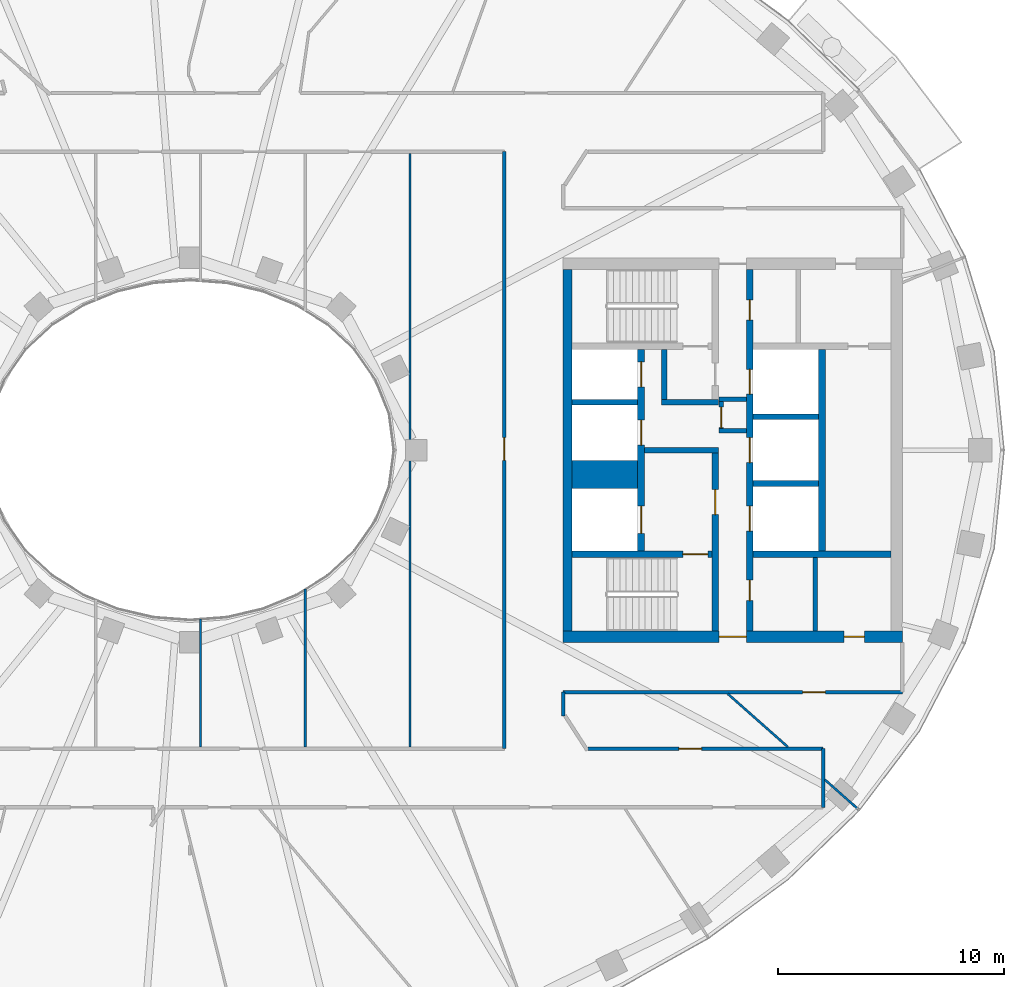
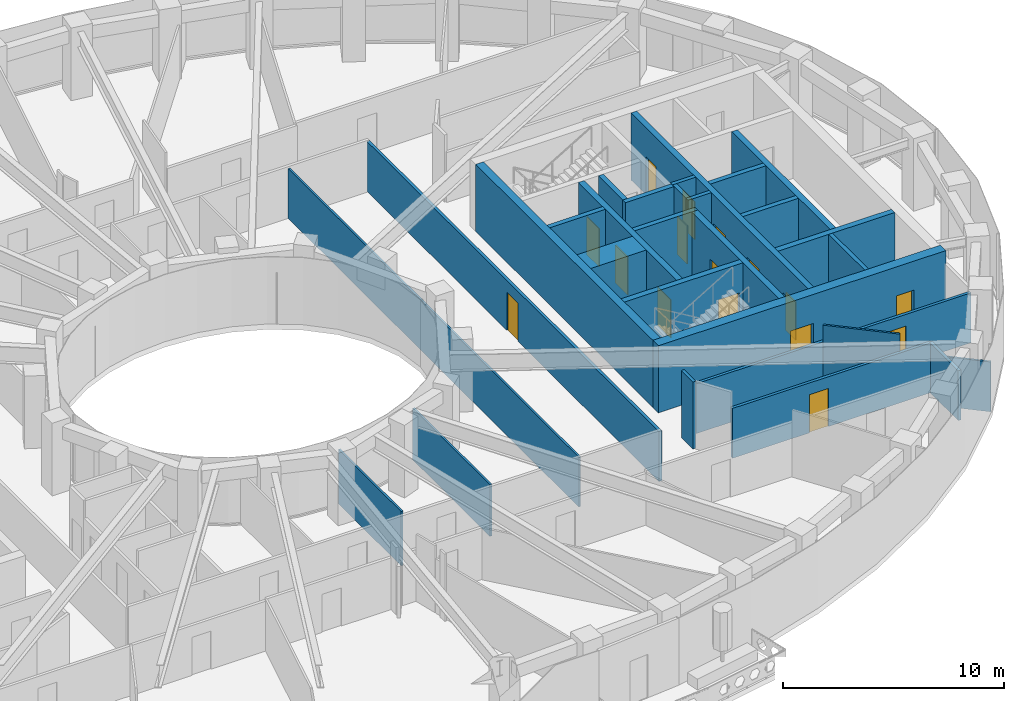
# One storey, part 5 of 17: 29 walls, 16 doors, 16 openings.
"""IFC4 building model written with IfcOpenShell, lengths in metres."""

from ifc_helpers import new_model, si_unit, direction, frame, frame_2d, origin, place, context, subcontext, project, spatial, rectangle, extrude, material, layer, layer_set, type_object, element, fill, save


model = new_model("IFC4")

# Units and contexts
model_context = context("Model", 3, precision=1e-05, world=origin(), true_north=direction((0.0, 1.0)))
body_context = subcontext(model_context, "Body", "Model", "MODEL_VIEW")
ifc_project = project(units=[si_unit("LENGTHUNIT", "METRE"), si_unit("AREAUNIT", "SQUARE_METRE"), si_unit("VOLUMEUNIT", "CUBIC_METRE"), si_unit("PLANEANGLEUNIT", "RADIAN"), si_unit("MASSUNIT", "GRAM", prefix="KILO")], contexts=[model_context])

# Site, building, storey
site_placement = place(None, origin())
site = spatial("IfcSite", under=ifc_project, at=site_placement, CompositionType="ELEMENT")
building_placement = place(site_placement, origin())
building = spatial("IfcBuilding", under=site, at=building_placement, Name="Noorbagh Ring Tower", CompositionType="ELEMENT")
storey_placement = place(building_placement, frame((0.0, 0.0, 269.5)))
storey = spatial("IfcBuildingStorey", under=building, at=storey_placement, Name="L57", CompositionType="ELEMENT", Elevation=269.5)

# Walls
ifc_material_1 = material(Name="Gypsum board on steel studs", Category="steel")
ifc_layer_1 = layer(ifc_material_1, 0.199951171875)
ifc_layer_set_1 = layer_set([ifc_layer_1], Name="Gypsum board on steel studs")
wall_type_1 = type_object("IfcWallType", Name="CORE-PARTITION-200", PredefinedType="PARTITIONING", material=ifc_layer_set_1)
for number, where, z_axis, x_axis, name in (
    (1, (23.39990234375, 0.85009765625, 0.0), (0.0, 0.0, 1.0), (1.0, 0.0, 0.0), "Core partition E"),
    (2, (23.39990234375, 2.25, 0.0), (0.0, 0.0, 1.0), (1.0, 0.0, 0.0), "Core partition E"),
):
    element("IfcWall", number, at=place(storey_placement, frame(where, z_axis=z_axis, x_axis=x_axis)), inside=storey, type_object=wall_type_1, Name=name, PredefinedType="PARTITIONING", context=body_context, shape_type="SweptSolid", body=[
        extrude(rectangle(XDim=1.2001953125, YDim=0.199951171875, at=frame_2d((0.60009765625, 0.0))), origin(), (0.0, 0.0, 1.0), 3.699951171875),
    ])

# Wall, opening, door
wall_1_placement = place(storey_placement, frame((23.5, 0.75, 0.0), z_axis=(0.0, 0.0, 1.0), x_axis=(0.0, 1.0, 0.0)))
wall_1 = element("IfcWall", 3, at=wall_1_placement, inside=storey, type_object=wall_type_1, Name="Core partition E", PredefinedType="PARTITIONING", context=body_context, shape_type="SweptSolid", body=[
    extrude(rectangle(XDim=1.60009765625, YDim=0.199951171875, at=frame_2d((0.800048828125, 0.0))), origin(), (0.0, 0.0, 1.0), 3.699951171875),
])
opening_1_placement = place(wall_1_placement, frame((0.25, 0.0, 0.0)))
opening_1 = element("IfcOpeningElement", 4, at=opening_1_placement, cuts=wall_1, Name="Opening L57-CE17", PredefinedType="OPENING", context=body_context, shape_type="SweptSolid", body=[
    extrude(rectangle(XDim=0.89990234375, YDim=2.10009765625, at=frame_2d((0.449951171875, 1.050048828125))), frame((0.0, 0.10986328125, 0.0), z_axis=(0.0, -1.0, 0.0), x_axis=(1.0, 0.0, 0.0)), (0.0, 0.0, 1.0), 0.219970703125),
])
ifc_material_2 = material(Name="Steel door leaf", Category="steel")
door_type_1 = type_object("IfcDoorType", Name="CORE-DOOR-DROOM", OperationType="SINGLE_SWING_LEFT", PredefinedType="DOOR", material=ifc_material_2)
door_1_placement = place(opening_1_placement, origin())
door_1 = element("IfcDoor", 5, at=door_1_placement, inside=storey, type_object=door_type_1, Name="Core room door L57-CE17", OperationType="SINGLE_SWING_LEFT", OverallHeight=2.10009765625, OverallWidth=0.89990234375, PredefinedType="DOOR", context=body_context, shape_type="SweptSolid", body=[
    extrude(rectangle(XDim=0.89990234375, YDim=2.10009765625, at=frame_2d((0.449951171875, 1.050048828125))), frame((0.0, 0.02490234375, 0.0), z_axis=(0.0, -1.0, 0.0), x_axis=(1.0, 0.0, 0.0)), (0.0, 0.0, 1.0), 0.050048828125),
])
fill(opening_1, door_1)

# Walls
wall_2_placement = place(storey_placement, frame((27.64990234375, -8.0, 0.0), z_axis=(0.0, 0.0, 1.0), x_axis=(0.0, 1.0, 0.0)))
element("IfcWall", 6, at=wall_2_placement, inside=storey, type_object=wall_type_1, Name="Core partition E", PredefinedType="PARTITIONING", context=body_context, shape_type="SweptSolid", body=[
    extrude(rectangle(XDim=3.25, YDim=0.199951171875, at=frame_2d((1.625, 0.0))), origin(), (0.0, 0.0, 1.0), 3.699951171875),
])
ifc_material_3 = material(Name="Concrete C60/75", Category="concrete")
ifc_layer_2 = layer(ifc_material_3, 1.25)
ifc_layer_set_2 = layer_set([ifc_layer_2], Name="Concrete C60/75")
wall_type_2 = type_object("IfcWallType", Name="CORE-WALL-1250-C60-75-EI120", PredefinedType="SHEAR", material=ifc_layer_set_2)
wall_3_placement = place(storey_placement, frame((16.89990234375, -1.074951171875, 0.0), z_axis=(0.0, 0.0, 1.0), x_axis=(1.0, 0.0, 0.0)))
element("IfcWall", 7, at=wall_3_placement, inside=storey, type_object=wall_type_2, Name="Core wall E", PredefinedType="SHEAR", context=body_context, shape_type="SweptSolid", body=[
    extrude(rectangle(XDim=2.900146484375, YDim=1.25, at=frame_2d((1.4501953125, 0.0))), origin(), (0.0, 0.0, 1.0), 3.699951171875),
])
ifc_material_4 = material(Name="Concrete C60/75", Category="concrete")
ifc_layer_3 = layer(ifc_material_4, 0.25)
ifc_layer_set_3 = layer_set([ifc_layer_3], Name="Concrete C60/75")
wall_type_3 = type_object("IfcWallType", Name="CORE-WALL-250-C60-75-EI120", PredefinedType="SHEAR", material=ifc_layer_set_3)
for number, where, z_axis, x_axis, name in (
    (8, (16.89990234375, 2.125, 0.0), (0.0, 0.0, 1.0), (1.0, 0.0, 0.0), "Core wall E"),
    (9, (24.89990234375, -1.47509765625, 0.0), (0.0, 0.0, 1.0), (1.0, 0.0, 0.0), "Core wall E"),
    (10, (24.89990234375, 1.47509765625, 0.0), (0.0, 0.0, 1.0), (1.0, 0.0, 0.0), "Core wall E"),
):
    element("IfcWall", number, at=place(storey_placement, frame(where, z_axis=z_axis, x_axis=x_axis)), inside=storey, type_object=wall_type_3, Name=name, PredefinedType="SHEAR", context=body_context, shape_type="SweptSolid", body=[
        extrude(rectangle(XDim=2.900146484375, YDim=0.25, at=frame_2d((1.4501953125, 0.0))), origin(), (0.0, 0.0, 1.0), 3.699951171875),
    ])
ifc_material_5 = material(Name="Concrete C60/75", Category="concrete")
ifc_layer_4 = layer(ifc_material_5, 0.25)
ifc_layer_set_4 = layer_set([ifc_layer_4], Name="Concrete C60/75")
wall_type_4 = type_object("IfcWallType", Name="CORE-WALL-250-C60-75-EI240", PredefinedType="SHEAR", material=ifc_layer_set_4)
wall_4_placement = place(storey_placement, frame((20.10009765625, 0.0, 0.0), z_axis=(0.0, 0.0, 1.0), x_axis=(1.0, 0.0, 0.0)))
element("IfcWall", 11, at=wall_4_placement, inside=storey, type_object=wall_type_4, Name="Core wall E", PredefinedType="SHEAR", context=body_context, shape_type="SweptSolid", body=[
    extrude(rectangle(XDim=3.27978515625, YDim=0.25, at=frame_2d((1.639892578125, 0.0))), origin(), (0.0, 0.0, 1.0), 3.699951171875),
])
wall_5_placement = place(storey_placement, frame((20.85009765625, 2.125, 0.0), z_axis=(0.0, 0.0, 1.0), x_axis=(1.0, 0.0, 0.0)))
element("IfcWall", 12, at=wall_5_placement, inside=storey, type_object=wall_type_4, Name="Core wall E", PredefinedType="SHEAR", context=body_context, shape_type="SweptSolid", body=[
    extrude(rectangle(XDim=2.52978515625, YDim=0.25, at=frame_2d((1.264892578125, 0.0))), origin(), (0.0, 0.0, 1.0), 3.699951171875),
])
wall_6_placement = place(storey_placement, frame((20.97509765625, 2.25, 0.0), z_axis=(0.0, 0.0, 1.0), x_axis=(0.0, 1.0, 0.0)))
element("IfcWall", 13, at=wall_6_placement, inside=storey, type_object=wall_type_4, Name="Core wall E", PredefinedType="SHEAR", context=body_context, shape_type="SweptSolid", body=[
    extrude(rectangle(XDim=2.199951171875, YDim=0.25, at=frame_2d((1.10009765625, 0.0))), origin(), (0.0, 0.0, 1.0), 3.699951171875),
])
ifc_material_6 = material(Name="Concrete C60/75", Category="concrete")
ifc_layer_5 = layer(ifc_material_6, 0.300048828125)
ifc_layer_set_5 = layer_set([ifc_layer_5], Name="Concrete C60/75")
wall_type_5 = type_object("IfcWallType", Name="CORE-WALL-300-C60-75-EI120", PredefinedType="SHEAR", material=ifc_layer_set_5)
wall_7_placement = place(storey_placement, frame((27.949951171875, -4.449951171875, 0.0), z_axis=(0.0, 0.0, 1.0), x_axis=(0.0, 1.0, 0.0)))
element("IfcWall", 14, at=wall_7_placement, inside=storey, type_object=wall_type_5, Name="Core wall E", PredefinedType="SHEAR", context=body_context, shape_type="SweptSolid", body=[
    extrude(rectangle(XDim=8.89990234375, YDim=0.300048828125, at=frame_2d((4.449951171875, 0.0))), origin(), (0.0, 0.0, 1.0), 3.699951171875),
])

# Wall, openings, doors
wall_8_placement = place(storey_placement, frame((19.949951171875, -4.449951171875, 0.0), z_axis=(0.0, 0.0, 1.0), x_axis=(0.0, 1.0, 0.0)))
wall_8 = element("IfcWall", 15, at=wall_8_placement, inside=storey, type_object=wall_type_5, Name="Core wall E", PredefinedType="SHEAR", context=body_context, shape_type="SweptSolid", body=[
    extrude(rectangle(XDim=8.89990234375, YDim=0.300048828125, at=frame_2d((4.449951171875, 0.0))), origin(), (0.0, 0.0, 1.0), 3.699951171875),
])
opening_2_placement = place(wall_8_placement, frame((0.77490234375, 0.0, 0.0)))
opening_2 = element("IfcOpeningElement", 16, at=opening_2_placement, cuts=wall_8, Name="Opening L57-CE01", PredefinedType="OPENING", context=body_context, shape_type="SweptSolid", body=[
    extrude(rectangle(XDim=1.199951171875, YDim=2.10009765625, at=frame_2d((0.60009765625, 1.050048828125))), frame((0.0, 0.16015625, 0.0), z_axis=(0.0, -1.0, 0.0), x_axis=(1.0, 0.0, 0.0)), (0.0, 0.0, 1.0), 0.320068359375),
])
opening_3_placement = place(wall_8_placement, frame((4.675048828125, 0.0, 0.0)))
opening_3 = element("IfcOpeningElement", 17, at=opening_3_placement, cuts=wall_8, Name="Opening L57-CE02", PredefinedType="OPENING", context=body_context, shape_type="SweptSolid", body=[
    extrude(rectangle(XDim=1.10009765625, YDim=2.10009765625, at=frame_2d((0.550048828125, 1.050048828125))), frame((0.0, 0.16015625, 0.0), z_axis=(0.0, -1.0, 0.0), x_axis=(1.0, 0.0, 0.0)), (0.0, 0.0, 1.0), 0.320068359375),
])
opening_4_placement = place(wall_8_placement, frame((7.25, 0.0, 0.0)))
opening_4 = element("IfcOpeningElement", 18, at=opening_4_placement, cuts=wall_8, Name="Opening L57-CE03", PredefinedType="OPENING", context=body_context, shape_type="SweptSolid", body=[
    extrude(rectangle(XDim=1.10009765625, YDim=2.10009765625, at=frame_2d((0.550048828125, 1.050048828125))), frame((0.0, 0.16015625, 0.0), z_axis=(0.0, -1.0, 0.0), x_axis=(1.0, 0.0, 0.0)), (0.0, 0.0, 1.0), 0.320068359375),
])
ifc_material_7 = material(Name="Steel door leaf", Category="steel")
door_type_2 = type_object("IfcDoorType", Name="CORE-DOOR-LD", OperationType="DOUBLE_DOOR_SLIDING", PredefinedType="DOOR", material=ifc_material_7)
door_2_placement = place(opening_3_placement, origin())
door_2 = element("IfcDoor", 19, at=door_2_placement, inside=storey, type_object=door_type_2, Name="Landing door HR7 L57-CE02", OperationType="DOUBLE_DOOR_SLIDING", OverallHeight=2.10009765625, OverallWidth=1.10009765625, PredefinedType="DOOR", context=body_context, shape_type="SweptSolid", body=[
    extrude(rectangle(XDim=1.10009765625, YDim=2.10009765625, at=frame_2d((0.550048828125, 1.050048828125))), frame((0.0, 0.02490234375, 0.0), z_axis=(0.0, -1.0, 0.0), x_axis=(1.0, 0.0, 0.0)), (0.0, 0.0, 1.0), 0.050048828125),
])
fill(opening_3, door_2)
door_3_placement = place(opening_4_placement, origin())
door_3 = element("IfcDoor", 20, at=door_3_placement, inside=storey, type_object=door_type_2, Name="Landing door HR8 L57-CE03", OperationType="DOUBLE_DOOR_SLIDING", OverallHeight=2.10009765625, OverallWidth=1.10009765625, PredefinedType="DOOR", context=body_context, shape_type="SweptSolid", body=[
    extrude(rectangle(XDim=1.10009765625, YDim=2.10009765625, at=frame_2d((0.550048828125, 1.050048828125))), frame((0.0, 0.02490234375, 0.0), z_axis=(0.0, -1.0, 0.0), x_axis=(1.0, 0.0, 0.0)), (0.0, 0.0, 1.0), 0.050048828125),
])
fill(opening_4, door_3)
ifc_material_8 = material(Name="Steel door leaf", Category="steel")
door_type_3 = type_object("IfcDoorType", Name="CORE-DOOR-LDW", OperationType="DOUBLE_DOOR_SLIDING", PredefinedType="DOOR", material=ifc_material_8)
door_4_placement = place(opening_2_placement, origin())
door_4 = element("IfcDoor", 21, at=door_4_placement, inside=storey, type_object=door_type_3, Name="Landing door FF2 L57-CE01", OperationType="DOUBLE_DOOR_SLIDING", OverallHeight=2.10009765625, OverallWidth=1.199951171875, PredefinedType="DOOR", context=body_context, shape_type="SweptSolid", body=[
    extrude(rectangle(XDim=1.199951171875, YDim=2.10009765625, at=frame_2d((0.60009765625, 1.050048828125))), frame((0.0, 0.02490234375, 0.0), z_axis=(0.0, -1.0, 0.0), x_axis=(1.0, 0.0, 0.0)), (0.0, 0.0, 1.0), 0.050048828125),
])
fill(opening_2, door_4)

wall_9_placement = place(storey_placement, frame((24.75, -8.0, 0.0), z_axis=(0.0, 0.0, 1.0), x_axis=(0.0, 1.0, 0.0)))
wall_9 = element("IfcWall", 22, at=wall_9_placement, inside=storey, type_object=wall_type_5, Name="Core wall E", PredefinedType="SHEAR", context=body_context, shape_type="SweptSolid", body=[
    extrude(rectangle(XDim=16.0, YDim=0.300048828125, at=frame_2d((8.0, 0.0))), origin(), (0.0, 0.0, 1.0), 3.699951171875),
])
opening_5_placement = place(wall_9_placement, frame((4.425048828125, 0.0, 0.0)))
opening_5 = element("IfcOpeningElement", 23, at=opening_5_placement, cuts=wall_9, Name="Opening L57-CE04", PredefinedType="OPENING", context=body_context, shape_type="SweptSolid", body=[
    extrude(rectangle(XDim=1.10009765625, YDim=2.10009765625, at=frame_2d((0.550048828125, 1.050048828125))), frame((0.0, 0.16015625, 0.0), z_axis=(0.0, -1.0, 0.0), x_axis=(1.0, 0.0, 0.0)), (0.0, 0.0, 1.0), 0.320068359375),
])
opening_6_placement = place(wall_9_placement, frame((7.449951171875, 0.0, 0.0)))
opening_6 = element("IfcOpeningElement", 24, at=opening_6_placement, cuts=wall_9, Name="Opening L57-CE05", PredefinedType="OPENING", context=body_context, shape_type="SweptSolid", body=[
    extrude(rectangle(XDim=1.10009765625, YDim=2.10009765625, at=frame_2d((0.550048828125, 1.050048828125))), frame((0.0, 0.16015625, 0.0), z_axis=(0.0, -1.0, 0.0), x_axis=(1.0, 0.0, 0.0)), (0.0, 0.0, 1.0), 0.320068359375),
])
opening_7_placement = place(wall_9_placement, frame((10.47509765625, 0.0, 0.0)))
opening_7 = element("IfcOpeningElement", 25, at=opening_7_placement, cuts=wall_9, Name="Opening L57-CE06", PredefinedType="OPENING", context=body_context, shape_type="SweptSolid", body=[
    extrude(rectangle(XDim=1.10009765625, YDim=2.10009765625, at=frame_2d((0.550048828125, 1.050048828125))), frame((0.0, 0.16015625, 0.0), z_axis=(0.0, -1.0, 0.0), x_axis=(1.0, 0.0, 0.0)), (0.0, 0.0, 1.0), 0.320068359375),
])
opening_8_placement = place(wall_9_placement, frame((13.75, 0.0, 0.0)))
opening_8 = element("IfcOpeningElement", 26, at=opening_8_placement, cuts=wall_9, Name="Opening L57-CE13", PredefinedType="OPENING", context=body_context, shape_type="SweptSolid", body=[
    extrude(rectangle(XDim=0.89990234375, YDim=2.10009765625, at=frame_2d((0.449951171875, 1.050048828125))), frame((0.0, 0.16015625, 0.0), z_axis=(0.0, -1.0, 0.0), x_axis=(1.0, 0.0, 0.0)), (0.0, 0.0, 1.0), 0.320068359375),
])
opening_9_placement = place(wall_9_placement, frame((1.35009765625, 0.0, 0.0)))
opening_9 = element("IfcOpeningElement", 27, at=opening_9_placement, cuts=wall_9, Name="Opening L57-CE15", PredefinedType="OPENING", context=body_context, shape_type="SweptSolid", body=[
    extrude(rectangle(XDim=0.89990234375, YDim=2.10009765625, at=frame_2d((0.449951171875, 1.050048828125))), frame((0.0, 0.16015625, 0.0), z_axis=(0.0, -1.0, 0.0), x_axis=(1.0, 0.0, 0.0)), (0.0, 0.0, 1.0), 0.320068359375),
])
door_5_placement = place(opening_8_placement, origin())
door_5 = element("IfcDoor", 28, at=door_5_placement, inside=storey, type_object=door_type_1, Name="Core room door L57-CE13", OperationType="SINGLE_SWING_LEFT", OverallHeight=2.10009765625, OverallWidth=0.89990234375, PredefinedType="DOOR", context=body_context, shape_type="SweptSolid", body=[
    extrude(rectangle(XDim=0.89990234375, YDim=2.10009765625, at=frame_2d((0.449951171875, 1.050048828125))), frame((0.0, 0.02490234375, 0.0), z_axis=(0.0, -1.0, 0.0), x_axis=(1.0, 0.0, 0.0)), (0.0, 0.0, 1.0), 0.050048828125),
])
fill(opening_8, door_5)
door_6_placement = place(opening_9_placement, origin())
door_6 = element("IfcDoor", 29, at=door_6_placement, inside=storey, type_object=door_type_1, Name="Core room door L57-CE15", OperationType="SINGLE_SWING_RIGHT", OverallHeight=2.10009765625, OverallWidth=0.89990234375, PredefinedType="DOOR", context=body_context, shape_type="SweptSolid", body=[
    extrude(rectangle(XDim=0.89990234375, YDim=2.10009765625, at=frame_2d((0.449951171875, 1.050048828125))), frame((0.0, 0.02490234375, 0.0), z_axis=(0.0, -1.0, 0.0), x_axis=(1.0, 0.0, 0.0)), (0.0, 0.0, 1.0), 0.050048828125),
])
fill(opening_9, door_6)
door_7_placement = place(opening_5_placement, origin())
door_7 = element("IfcDoor", 30, at=door_7_placement, inside=storey, type_object=door_type_2, Name="Landing door HR9 L57-CE04", OperationType="DOUBLE_DOOR_SLIDING", OverallHeight=2.10009765625, OverallWidth=1.10009765625, PredefinedType="DOOR", context=body_context, shape_type="SweptSolid", body=[
    extrude(rectangle(XDim=1.10009765625, YDim=2.10009765625, at=frame_2d((0.550048828125, 1.050048828125))), frame((0.0, 0.02490234375, 0.0), z_axis=(0.0, -1.0, 0.0), x_axis=(1.0, 0.0, 0.0)), (0.0, 0.0, 1.0), 0.050048828125),
])
fill(opening_5, door_7)
door_8_placement = place(opening_6_placement, origin())
door_8 = element("IfcDoor", 31, at=door_8_placement, inside=storey, type_object=door_type_2, Name="Landing door HR10 L57-CE05", OperationType="DOUBLE_DOOR_SLIDING", OverallHeight=2.10009765625, OverallWidth=1.10009765625, PredefinedType="DOOR", context=body_context, shape_type="SweptSolid", body=[
    extrude(rectangle(XDim=1.10009765625, YDim=2.10009765625, at=frame_2d((0.550048828125, 1.050048828125))), frame((0.0, 0.02490234375, 0.0), z_axis=(0.0, -1.0, 0.0), x_axis=(1.0, 0.0, 0.0)), (0.0, 0.0, 1.0), 0.050048828125),
])
fill(opening_6, door_8)
door_9_placement = place(opening_7_placement, origin())
door_9 = element("IfcDoor", 32, at=door_9_placement, inside=storey, type_object=door_type_2, Name="Landing door HR11 L57-CE06", OperationType="DOUBLE_DOOR_SLIDING", OverallHeight=2.10009765625, OverallWidth=1.10009765625, PredefinedType="DOOR", context=body_context, shape_type="SweptSolid", body=[
    extrude(rectangle(XDim=1.10009765625, YDim=2.10009765625, at=frame_2d((0.550048828125, 1.050048828125))), frame((0.0, 0.02490234375, 0.0), z_axis=(0.0, -1.0, 0.0), x_axis=(1.0, 0.0, 0.0)), (0.0, 0.0, 1.0), 0.050048828125),
])
fill(opening_7, door_9)

# Wall
ifc_material_9 = material(Name="Concrete C60/75", Category="concrete")
ifc_layer_6 = layer(ifc_material_9, 0.300048828125)
ifc_layer_set_6 = layer_set([ifc_layer_6], Name="Concrete C60/75")
wall_type_6 = type_object("IfcWallType", Name="CORE-WALL-300-C60-75-EI240", PredefinedType="SHEAR", material=ifc_layer_set_6)
wall_10_placement = place(storey_placement, frame((24.89990234375, -4.60009765625, 0.0), z_axis=(0.0, 0.0, 1.0), x_axis=(1.0, 0.0, 0.0)))
element("IfcWall", 33, at=wall_10_placement, inside=storey, type_object=wall_type_6, Name="Core wall E", PredefinedType="SHEAR", context=body_context, shape_type="SweptSolid", body=[
    extrude(rectangle(XDim=6.10009765625, YDim=0.300048828125, at=frame_2d((3.050048828125, 0.0))), origin(), (0.0, 0.0, 1.0), 3.699951171875),
])

# Wall, opening, door
wall_11_placement = place(storey_placement, frame((23.22998046875, -8.0, 0.0), z_axis=(0.0, 0.0, 1.0), x_axis=(0.0, 1.0, 0.0)))
wall_11 = element("IfcWall", 34, at=wall_11_placement, inside=storey, type_object=wall_type_6, Name="Core wall E", PredefinedType="SHEAR", context=body_context, shape_type="SweptSolid", body=[
    extrude(rectangle(XDim=7.875, YDim=0.300048828125, at=frame_2d((3.9375, 0.0))), origin(), (0.0, 0.0, 1.0), 3.699951171875),
])
opening_10_placement = place(wall_11_placement, frame((5.14990234375, 0.0, 0.0)))
opening_10 = element("IfcOpeningElement", 35, at=opening_10_placement, cuts=wall_11, Name="Opening L57-CE09", PredefinedType="OPENING", context=body_context, shape_type="SweptSolid", body=[
    extrude(rectangle(XDim=1.10009765625, YDim=2.10009765625, at=frame_2d((0.550048828125, 1.050048828125))), frame((0.0, 0.16015625, 0.0), z_axis=(0.0, -1.0, 0.0), x_axis=(1.0, 0.0, 0.0)), (0.0, 0.0, 1.0), 0.320068359375),
])
ifc_material_10 = material(Name="Steel door leaf", Category="steel")
door_type_4 = type_object("IfcDoorType", Name="CORE-DOOR-DFF", OperationType="SINGLE_SWING_LEFT", PredefinedType="DOOR", material=ifc_material_10)
door_10_placement = place(opening_10_placement, origin())
door_10 = element("IfcDoor", 36, at=door_10_placement, inside=storey, type_object=door_type_4, Name="Firefighting lobby door L57-CE09", OperationType="SINGLE_SWING_RIGHT", OverallHeight=2.10009765625, OverallWidth=1.10009765625, PredefinedType="DOOR", context=body_context, shape_type="SweptSolid", body=[
    extrude(rectangle(XDim=1.10009765625, YDim=2.10009765625, at=frame_2d((0.550048828125, 1.050048828125))), frame((0.0, 0.02490234375, 0.0), z_axis=(0.0, -1.0, 0.0), x_axis=(1.0, 0.0, 0.0)), (0.0, 0.0, 1.0), 0.050048828125),
])
fill(opening_10, door_10)

wall_12_placement = place(storey_placement, frame((16.89990234375, -4.60009765625, 0.0), z_axis=(0.0, 0.0, 1.0), x_axis=(1.0, 0.0, 0.0)))
wall_12 = element("IfcWall", 37, at=wall_12_placement, inside=storey, type_object=wall_type_6, Name="Core wall E", PredefinedType="SHEAR", context=body_context, shape_type="SweptSolid", body=[
    extrude(rectangle(XDim=6.18017578125, YDim=0.300048828125, at=frame_2d((3.090087890625, 0.0))), origin(), (0.0, 0.0, 1.0), 3.699951171875),
])
opening_11_placement = place(wall_12_placement, frame((4.89990234375, 0.0, 0.0)))
opening_11 = element("IfcOpeningElement", 38, at=opening_11_placement, cuts=wall_12, Name="Opening L57-CE08", PredefinedType="OPENING", context=body_context, shape_type="SweptSolid", body=[
    extrude(rectangle(XDim=1.10009765625, YDim=2.10009765625, at=frame_2d((0.550048828125, 1.050048828125))), frame((0.0, 0.16015625, 0.0), z_axis=(0.0, -1.0, 0.0), x_axis=(1.0, 0.0, 0.0)), (0.0, 0.0, 1.0), 0.320068359375),
])
ifc_material_11 = material(Name="Steel door leaf", Category="steel")
door_type_5 = type_object("IfcDoorType", Name="CORE-DOOR-DSTAIR", OperationType="SINGLE_SWING_LEFT", PredefinedType="DOOR", material=ifc_material_11)
door_11_placement = place(opening_11_placement, origin())
door_11 = element("IfcDoor", 39, at=door_11_placement, inside=storey, type_object=door_type_5, Name="Stair door ST4 L57-CE08", OperationType="SINGLE_SWING_RIGHT", OverallHeight=2.10009765625, OverallWidth=1.10009765625, PredefinedType="DOOR", context=body_context, shape_type="SweptSolid", body=[
    extrude(rectangle(XDim=1.10009765625, YDim=2.10009765625, at=frame_2d((0.550048828125, 1.050048828125))), frame((0.0, 0.02490234375, 0.0), z_axis=(0.0, -1.0, 0.0), x_axis=(1.0, 0.0, 0.0)), (0.0, 0.0, 1.0), 0.050048828125),
])
fill(opening_11, door_11)

# Wall
ifc_material_12 = material(Name="Concrete C60/75", Category="concrete")
ifc_layer_7 = layer(ifc_material_12, 0.39990234375)
ifc_layer_set_7 = layer_set([ifc_layer_7], Name="Concrete C60/75")
wall_type_7 = type_object("IfcWallType", Name="CORE-WALL-400-C60-75-EI240", PredefinedType="SHEAR", material=ifc_layer_set_7)
wall_13_placement = place(storey_placement, frame((16.699951171875, -8.0, 0.0), z_axis=(0.0, 0.0, 1.0), x_axis=(0.0, 1.0, 0.0)))
element("IfcWall", 40, at=wall_13_placement, inside=storey, type_object=wall_type_7, Name="Core wall E", PredefinedType="SHEAR", context=body_context, shape_type="SweptSolid", body=[
    extrude(rectangle(XDim=16.0, YDim=0.39990234375, at=frame_2d((8.0, 0.0))), origin(), (0.0, 0.0, 1.0), 3.699951171875),
])

# Wall, openings, doors
ifc_material_13 = material(Name="Concrete C60/75", Category="concrete")
ifc_layer_8 = layer(ifc_material_13, 0.5)
ifc_layer_set_8 = layer_set([ifc_layer_8], Name="Concrete C60/75")
wall_type_8 = type_object("IfcWallType", Name="CORE-WALL-500-C60-75-EI240", PredefinedType="SHEAR", material=ifc_layer_set_8)
wall_14_placement = place(storey_placement, frame((16.5, -8.25, 0.0), z_axis=(0.0, 0.0, 1.0), x_axis=(1.0, 0.0, 0.0)))
wall_14 = element("IfcWall", 41, at=wall_14_placement, inside=storey, type_object=wall_type_8, Name="Core wall E", PredefinedType="SHEAR", context=body_context, shape_type="SweptSolid", body=[
    extrude(rectangle(XDim=15.0, YDim=0.5, at=frame_2d((7.5, 0.0))), origin(), (0.0, 0.0, 1.0), 3.699951171875),
])
opening_12_placement = place(wall_14_placement, frame((6.89990234375, 0.0, 0.0)))
opening_12 = element("IfcOpeningElement", 42, at=opening_12_placement, cuts=wall_14, Name="Opening L57-CE12", PredefinedType="OPENING", context=body_context, shape_type="SweptSolid", body=[
    extrude(rectangle(XDim=1.199951171875, YDim=2.10009765625, at=frame_2d((0.60009765625, 1.050048828125))), frame((0.0, 0.260009765625, 0.0), z_axis=(0.0, -1.0, 0.0), x_axis=(1.0, 0.0, 0.0)), (0.0, 0.0, 1.0), 0.52001953125),
])
opening_13_placement = place(wall_14_placement, frame((12.425048828125, 0.0, 0.0)))
opening_13 = element("IfcOpeningElement", 43, at=opening_13_placement, cuts=wall_14, Name="Opening L57-CE16", PredefinedType="OPENING", context=body_context, shape_type="SweptSolid", body=[
    extrude(rectangle(XDim=0.89990234375, YDim=2.10009765625, at=frame_2d((0.449951171875, 1.050048828125))), frame((0.0, 0.260009765625, 0.0), z_axis=(0.0, -1.0, 0.0), x_axis=(1.0, 0.0, 0.0)), (0.0, 0.0, 1.0), 0.52001953125),
])
door_12_placement = place(opening_13_placement, origin())
door_12 = element("IfcDoor", 44, at=door_12_placement, inside=storey, type_object=door_type_1, Name="Core room door L57-CE16", OperationType="SINGLE_SWING_RIGHT", OverallHeight=2.10009765625, OverallWidth=0.89990234375, PredefinedType="DOOR", context=body_context, shape_type="SweptSolid", body=[
    extrude(rectangle(XDim=0.89990234375, YDim=2.10009765625, at=frame_2d((0.449951171875, 1.050048828125))), frame((0.0, 0.02490234375, 0.0), z_axis=(0.0, -1.0, 0.0), x_axis=(1.0, 0.0, 0.0)), (0.0, 0.0, 1.0), 0.050048828125),
])
fill(opening_13, door_12)
ifc_material_14 = material(Name="Steel door leaf", Category="steel")
door_type_6 = type_object("IfcDoorType", Name="CORE-DOOR-PORT", OperationType="DOUBLE_DOOR_DOUBLE_SWING", PredefinedType="DOOR", material=ifc_material_14)
door_13_placement = place(opening_12_placement, origin())
door_13 = element("IfcDoor", 45, at=door_13_placement, inside=storey, type_object=door_type_6, Name="Core entrance door L57-CE12", OperationType="DOUBLE_DOOR_DOUBLE_SWING", OverallHeight=2.10009765625, OverallWidth=1.199951171875, PredefinedType="DOOR", context=body_context, shape_type="SweptSolid", body=[
    extrude(rectangle(XDim=1.199951171875, YDim=2.10009765625, at=frame_2d((0.60009765625, 1.050048828125))), frame((0.0, 0.02490234375, 0.0), z_axis=(0.0, -1.0, 0.0), x_axis=(1.0, 0.0, 0.0)), (0.0, 0.0, 1.0), 0.050048828125),
])
fill(opening_12, door_13)

# Wall, opening, door
ifc_material_15 = material(Name="Gypsum board on steel studs", Category="steel")
ifc_layer_9 = layer(ifc_material_15, 0.14990234375)
ifc_layer_set_9 = layer_set([ifc_layer_9], Name="Gypsum board on steel studs")
wall_type_9 = type_object("IfcWallType", Name="CORRIDOR PARTITION 150 EI 30", PredefinedType="PARTITIONING", material=ifc_layer_set_9)
wall_15_placement = place(storey_placement, frame((13.89990234375, -13.199951171875, 0.0), z_axis=(0.0, 0.0, 1.0), x_axis=(0.0, 1.0, 0.0)))
wall_15 = element("IfcWall", 46, at=wall_15_placement, inside=storey, type_object=wall_type_9, Name="L57/wall/P69", PredefinedType="PARTITIONING", context=body_context, shape_type="SweptSolid", body=[
    extrude(rectangle(XDim=26.39990234375, YDim=0.14990234375, at=frame_2d((13.199951171875, 0.0))), origin(), (0.0, 0.0, 1.0), 2.75),
])
opening_14_placement = place(wall_15_placement, frame((12.75, 0.0, 0.0)))
opening_14 = element("IfcOpeningElement", 47, at=opening_14_placement, cuts=wall_15, Name="Opening D1", PredefinedType="OPENING", context=body_context, shape_type="SweptSolid", body=[
    extrude(rectangle(XDim=1.0, YDim=2.10009765625, at=frame_2d((0.5, 1.050048828125))), frame((0.0, 0.0849609375, 0.0), z_axis=(0.0, -1.0, 0.0), x_axis=(1.0, 0.0, 0.0)), (0.0, 0.0, 1.0), 0.169921875),
])
ifc_material_16 = material(Name="Timber, painted", Category="wood")
door_type_7 = type_object("IfcDoorType", Name="DOOR 1000 X 2100 FD30", OperationType="SINGLE_SWING_LEFT", PredefinedType="DOOR", material=ifc_material_16)
door_14_placement = place(opening_14_placement, origin())
door_14 = element("IfcDoor", 48, at=door_14_placement, inside=storey, type_object=door_type_7, Name="L57-D35", OperationType="SINGLE_SWING_LEFT", OverallHeight=2.10009765625, OverallWidth=1.0, PredefinedType="DOOR", context=body_context, shape_type="SweptSolid", body=[
    extrude(rectangle(XDim=1.0, YDim=2.10009765625, at=frame_2d((0.5, 1.050048828125))), frame((0.0, 0.02490234375, 0.0), z_axis=(0.0, -1.0, 0.0), x_axis=(1.0, 0.0, 0.0)), (0.0, 0.0, 1.0), 0.050048828125),
])
fill(opening_14, door_14)

# Wall
wall_16_placement = place(storey_placement, frame((16.5, -11.7548828125, 0.0), z_axis=(0.0, 0.0, 1.0), x_axis=(0.0, 1.0, 0.0)))
element("IfcWall", 49, at=wall_16_placement, inside=storey, type_object=wall_type_9, Name="L57/wall/P70", PredefinedType="PARTITIONING", context=body_context, shape_type="SweptSolid", body=[
    extrude(rectangle(XDim=1.054931640625, YDim=0.14990234375, at=frame_2d((0.52734375, 0.0))), origin(), (0.0, 0.0, 1.0), 3.699951171875),
])

# Wall, opening, door
wall_17_placement = place(storey_placement, frame((16.5, -10.699951171875, 0.0), z_axis=(0.0, 0.0, 1.0), x_axis=(1.0, 0.0, 0.0)))
wall_17 = element("IfcWall", 50, at=wall_17_placement, inside=storey, type_object=wall_type_9, Name="L57/wall/P72", PredefinedType="PARTITIONING", context=body_context, shape_type="SweptSolid", body=[
    extrude(rectangle(XDim=15.0, YDim=0.14990234375, at=frame_2d((7.5, 0.0))), origin(), (0.0, 0.0, 1.0), 2.75),
])
opening_15_placement = place(wall_17_placement, frame((10.596923828125, 0.0, 0.0)))
opening_15 = element("IfcOpeningElement", 51, at=opening_15_placement, cuts=wall_17, Name="Opening D1", PredefinedType="OPENING", context=body_context, shape_type="SweptSolid", body=[
    extrude(rectangle(XDim=1.0, YDim=2.10009765625, at=frame_2d((0.5, 1.050048828125))), frame((0.0, 0.0849609375, 0.0), z_axis=(0.0, -1.0, 0.0), x_axis=(1.0, 0.0, 0.0)), (0.0, 0.0, 1.0), 0.169921875),
])
door_15_placement = place(opening_15_placement, origin())
door_15 = element("IfcDoor", 52, at=door_15_placement, inside=storey, type_object=door_type_7, Name="L57-D27", OperationType="SINGLE_SWING_LEFT", OverallHeight=2.10009765625, OverallWidth=1.0, PredefinedType="DOOR", context=body_context, shape_type="SweptSolid", body=[
    extrude(rectangle(XDim=1.0, YDim=2.10009765625, at=frame_2d((0.5, 1.050048828125))), frame((0.0, 0.02490234375, 0.0), z_axis=(0.0, -1.0, 0.0), x_axis=(1.0, 0.0, 0.0)), (0.0, 0.0, 1.0), 0.050048828125),
])
fill(opening_15, door_15)

wall_18_placement = place(storey_placement, frame((17.610107421875, -13.199951171875, 0.0), z_axis=(0.0, 0.0, 1.0), x_axis=(1.0, 0.0, 0.0)))
wall_18 = element("IfcWall", 53, at=wall_18_placement, inside=storey, type_object=wall_type_9, Name="L57/wall/P76", PredefinedType="PARTITIONING", context=body_context, shape_type="SweptSolid", body=[
    extrude(rectangle(XDim=10.389892578125, YDim=0.14990234375, at=frame_2d((5.19482421875, 0.0))), origin(), (0.0, 0.0, 1.0), 2.75),
])
opening_16_placement = place(wall_18_placement, frame((4.012939453125, 0.0, 0.0)))
opening_16 = element("IfcOpeningElement", 54, at=opening_16_placement, cuts=wall_18, Name="Opening D1", PredefinedType="OPENING", context=body_context, shape_type="SweptSolid", body=[
    extrude(rectangle(XDim=1.0, YDim=2.10009765625, at=frame_2d((0.5, 1.050048828125))), frame((0.0, 0.0849609375, 0.0), z_axis=(0.0, -1.0, 0.0), x_axis=(1.0, 0.0, 0.0)), (0.0, 0.0, 1.0), 0.169921875),
])
door_16_placement = place(opening_16_placement, origin())
door_16 = element("IfcDoor", 55, at=door_16_placement, inside=storey, type_object=door_type_7, Name="L57-D24", OperationType="SINGLE_SWING_RIGHT", OverallHeight=2.10009765625, OverallWidth=1.0, PredefinedType="DOOR", context=body_context, shape_type="SweptSolid", body=[
    extrude(rectangle(XDim=1.0, YDim=2.10009765625, at=frame_2d((0.5, 1.050048828125))), frame((0.0, 0.02490234375, 0.0), z_axis=(0.0, -1.0, 0.0), x_axis=(1.0, 0.0, 0.0)), (0.0, 0.0, 1.0), 0.050048828125),
])
fill(opening_16, door_16)

# Walls
wall_19_placement = place(storey_placement, frame((28.0, -15.800048828125, 0.0), z_axis=(0.0, 0.0, 1.0), x_axis=(0.0, 1.0, 0.0)))
element("IfcWall", 56, at=wall_19_placement, inside=storey, type_object=wall_type_9, Name="L57/wall/P81", PredefinedType="PARTITIONING", context=body_context, shape_type="SweptSolid", body=[
    extrude(rectangle(XDim=2.60009765625, YDim=0.14990234375, at=frame_2d((1.300048828125, 0.0))), origin(), (0.0, 0.0, 1.0), 2.75),
])
ifc_material_17 = material(Name="Gypsum board on steel studs", Category="steel")
ifc_layer_10 = layer(ifc_material_17, 0.10009765625)
ifc_layer_set_10 = layer_set([ifc_layer_10], Name="Gypsum board on steel studs")
wall_type_10 = type_object("IfcWallType", Name="PARTITION 100 GYPSUM", PredefinedType="PARTITIONING", material=ifc_layer_set_10)
wall_20_placement = place(storey_placement, frame((0.462890625, -13.125, 0.0), z_axis=(0.0, 0.0, 1.0), x_axis=(0.0, 1.0, 0.0)))
element("IfcWall", 57, at=wall_20_placement, inside=storey, type_object=wall_type_10, Name="L57/wall/P55", PredefinedType="PARTITIONING", context=body_context, shape_type="SweptSolid", body=[
    extrude(rectangle(XDim=5.656005859375, YDim=0.10009765625, at=frame_2d((2.828125, 0.0))), origin(), (0.0, 0.0, 1.0), 3.0),
])
wall_21_placement = place(storey_placement, frame((5.096923828125, -13.125, 0.0), z_axis=(0.0, 0.0, 1.0), x_axis=(0.0, 1.0, 0.0)))
element("IfcWall", 58, at=wall_21_placement, inside=storey, type_object=wall_type_10, Name="L57/wall/P61", PredefinedType="PARTITIONING", context=body_context, shape_type="SweptSolid", body=[
    extrude(rectangle(XDim=6.97412109375, YDim=0.10009765625, at=frame_2d((3.487060546875, 0.0))), origin(), (0.0, 0.0, 1.0), 2.85009765625),
])
wall_22_placement = place(storey_placement, frame((9.72998046875, -13.125, 0.0), z_axis=(0.0, 0.0, 1.0), x_axis=(0.0, 1.0, 0.0)))
element("IfcWall", 59, at=wall_22_placement, inside=storey, type_object=wall_type_10, Name="L57/wall/P64", PredefinedType="PARTITIONING", context=body_context, shape_type="SweptSolid", body=[
    extrude(rectangle(XDim=26.25, YDim=0.10009765625, at=frame_2d((13.125, 0.0))), origin(), (0.0, 0.0, 1.0), 2.75),
])
wall_23_placement = place(storey_placement, frame((23.784912109375, -10.778076171875, 0.0), z_axis=(0.0, 0.0, 1.0), x_axis=(0.749047927355, -0.662515813038, 0.0)))
element("IfcWall", 60, at=wall_23_placement, inside=storey, type_object=wall_type_10, Name="L57/wall/P80", PredefinedType="PARTITIONING", context=body_context, shape_type="SweptSolid", body=[
    extrude(rectangle(XDim=3.5380859375, YDim=0.10009765625, at=frame_2d((1.76904296875, 0.0))), origin(), (0.0, 0.0, 1.0), 3.699951171875),
])
wall_24_placement = place(storey_placement, frame((28.074951171875, -14.572021484375, 0.0), z_axis=(0.0, 0.0, 1.0), x_axis=(0.748683588402, -0.662927510711, 0.0)))
element("IfcWall", 61, at=wall_24_placement, inside=storey, type_object=wall_type_10, Name="L57/wall/P82", PredefinedType="PARTITIONING", context=body_context, shape_type="SweptSolid", body=[
    extrude(rectangle(XDim=1.99560546875, YDim=0.10009765625, at=frame_2d((0.997802734375, 0.0))), origin(), (0.0, 0.0, 1.0), 2.75),
])

save(model, "model.ifc")
